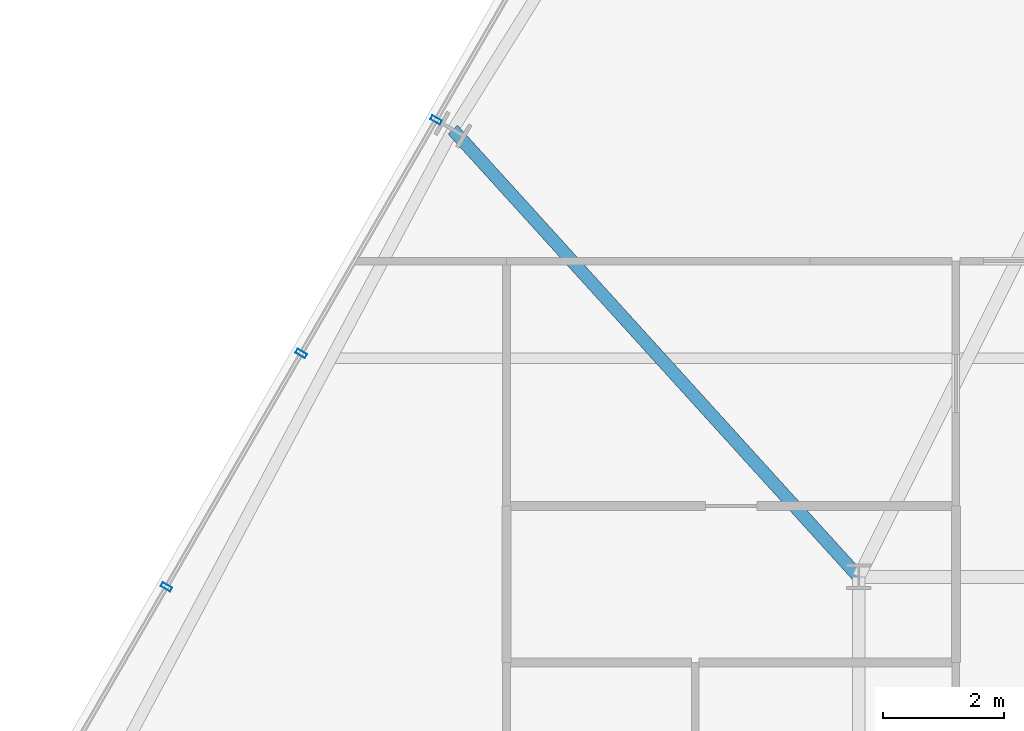
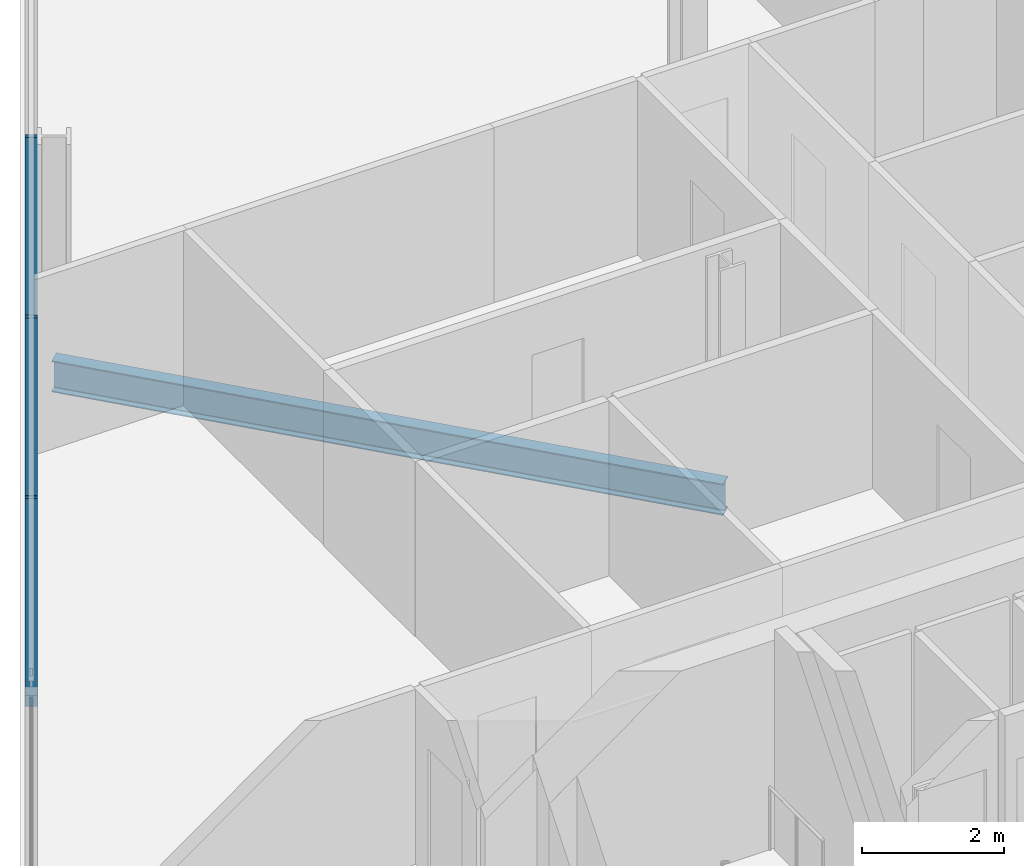
# One storey, part 11 of 31: 3 members, 1 beam, 1 element without a shape of its own.
"""IFC4 building model written with IfcOpenShell, lengths in metres."""

from ifc_helpers import new_model, si_unit, direction, frame, origin, origin_2d, place, context, subcontext, project, spatial, hollow_rectangle, i_section, extrude, material, layer, layer_set, material_profile, profile_set, type_object, element, aggregate, save


model = new_model("IFC4")

# Units and contexts
model_context = context("Model", 3, precision=1e-05, world=origin(), true_north=direction((0.0, 1.0)))
body_context = subcontext(model_context, "Body", "Model", "MODEL_VIEW")
ifc_project = project(units=[si_unit("LENGTHUNIT", "METRE"), si_unit("AREAUNIT", "SQUARE_METRE"), si_unit("VOLUMEUNIT", "CUBIC_METRE"), si_unit("PLANEANGLEUNIT", "RADIAN"), si_unit("MASSUNIT", "GRAM", prefix="KILO")], contexts=[model_context])

# Site, building, storey
site_placement = place(None, origin())
site = spatial("IfcSite", under=ifc_project, at=site_placement, CompositionType="ELEMENT")
building_placement = place(site_placement, origin())
building = spatial("IfcBuilding", under=site, at=building_placement, Name="Ndaravel Arena Tower", CompositionType="ELEMENT")
storey_placement = place(building_placement, frame((0.0, 0.0, 142.199951171875)))
storey = spatial("IfcBuildingStorey", under=building, at=storey_placement, Name="L33", CompositionType="ELEMENT", Elevation=142.199951171875)

# Beam
ifc_material_1 = material(Name="Steel S355", Category="steel")
ifc_material_profile_1 = material_profile(ifc_material_1, i_section(OverallWidth=0.210693359375, OverallDepth=0.53955078125, WebThickness=0.01171875, FlangeThickness=0.018798828125, FilletRadius=0.0126953125, at=origin_2d()), Name="UB 533x210x109")
ifc_profile_set_1 = profile_set([ifc_material_profile_1], Name="Steel S355")
beam_type = type_object("IfcBeamType", Name="BM-GIRD-UB533", PredefinedType="BEAM", material=ifc_profile_set_1)
beam_placement = place(storey_placement, frame((27.517578125, 30.564208984375, -0.48974609375), z_axis=(0.671989407825, -0.74056075765, 0.0), x_axis=(0.74056075765, 0.671989407825, 0.0)))
element("IfcBeam", 1, at=beam_placement, inside=storey, type_object=beam_type, Name="L33 Radial Floor Girder FG-19", PredefinedType="BEAM", context=body_context, shape_type="SweptSolid", body=[
    extrude(i_section(OverallWidth=0.210693359375, OverallDepth=0.53955078125, WebThickness=0.01171875, FlangeThickness=0.018798828125, FilletRadius=0.0126953125, at=origin_2d()), origin(), (0.0, 0.0, 1.0), 9.944091796875),
])

# Curtain wall, members
ifc_material_2 = material(Name="Aluminium", Category="aluminium")
ifc_layer = layer(ifc_material_2, 0.179931640625)
ifc_layer_set = layer_set([ifc_layer], Name="Aluminium")
curtain_wall_type = type_object("IfcCurtainWallType", Name="CW-SYS-03", PredefinedType="NOTDEFINED", material=ifc_layer_set)
curtain_wall_placement = place(storey_placement, origin())
curtain_wall = element("IfcCurtainWall", 2, at=curtain_wall_placement, inside=storey, type_object=curtain_wall_type, Name="L33 Faceted Crystal Curtain Wall CW-L33-E05", PredefinedType="NOTDEFINED")
ifc_material_3 = material(Name="Aluminium", Category="aluminium")
ifc_material_profile_2 = material_profile(ifc_material_3, hollow_rectangle(XDim=0.074951171875, YDim=0.179931640625, WallThickness=0.00390625, at=origin_2d()), Name="CW MULLION 75x180x4")
ifc_profile_set_2 = profile_set([ifc_material_profile_2], Name="Aluminium")
member_type = type_object("IfcMemberType", Name="MEM-CW-MUL180", PredefinedType="MULLION", material=ifc_profile_set_2)
member_1_placement = place(storey_placement, frame((27.240478515625, 30.72412109375, 0.0), z_axis=(0.0, 0.0, 1.0), x_axis=(-0.5, -0.866025403784, 0.0)))
member_1 = element("IfcMember", 3, at=member_1_placement, type_object=member_type, Name="CW-L33-E05 Mullion 04", PredefinedType="MULLION", context=body_context, shape_type="SweptSolid", body=[
    extrude(hollow_rectangle(XDim=0.074951171875, YDim=0.179931640625, WallThickness=0.00390625, at=origin_2d()), origin(), (0.0, 0.0, 1.0), 3.580078125),
])
member_2_placement = place(storey_placement, frame((25.0205078125, 26.87890625, 0.0), z_axis=(0.0, 0.0, 1.0), x_axis=(-0.5, -0.866025403784, 0.0)))
member_2 = element("IfcMember", 4, at=member_2_placement, type_object=member_type, Name="CW-L33-E05 Mullion 05", PredefinedType="MULLION", context=body_context, shape_type="SweptSolid", body=[
    extrude(hollow_rectangle(XDim=0.074951171875, YDim=0.179931640625, WallThickness=0.00390625, at=origin_2d()), origin(), (0.0, 0.0, 1.0), 3.580078125),
])
member_3_placement = place(storey_placement, frame((22.800537109375, 23.03369140625, 0.0), z_axis=(0.0, 0.0, 1.0), x_axis=(-0.5, -0.866025403784, 0.0)))
member_3 = element("IfcMember", 5, at=member_3_placement, type_object=member_type, Name="CW-L33-E05 Mullion 06", PredefinedType="MULLION", context=body_context, shape_type="SweptSolid", body=[
    extrude(hollow_rectangle(XDim=0.074951171875, YDim=0.179931640625, WallThickness=0.00390625, at=origin_2d()), origin(), (0.0, 0.0, 1.0), 3.580078125),
])
aggregate(curtain_wall, [member_1, member_2, member_3])

save(model, "model.ifc")
